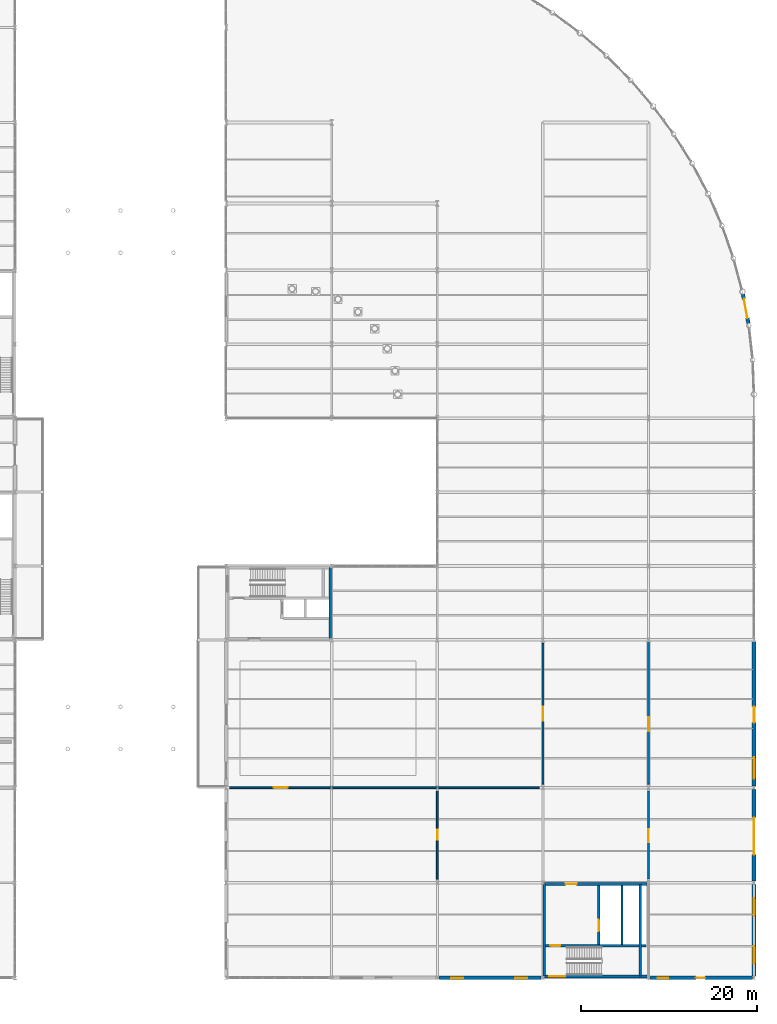
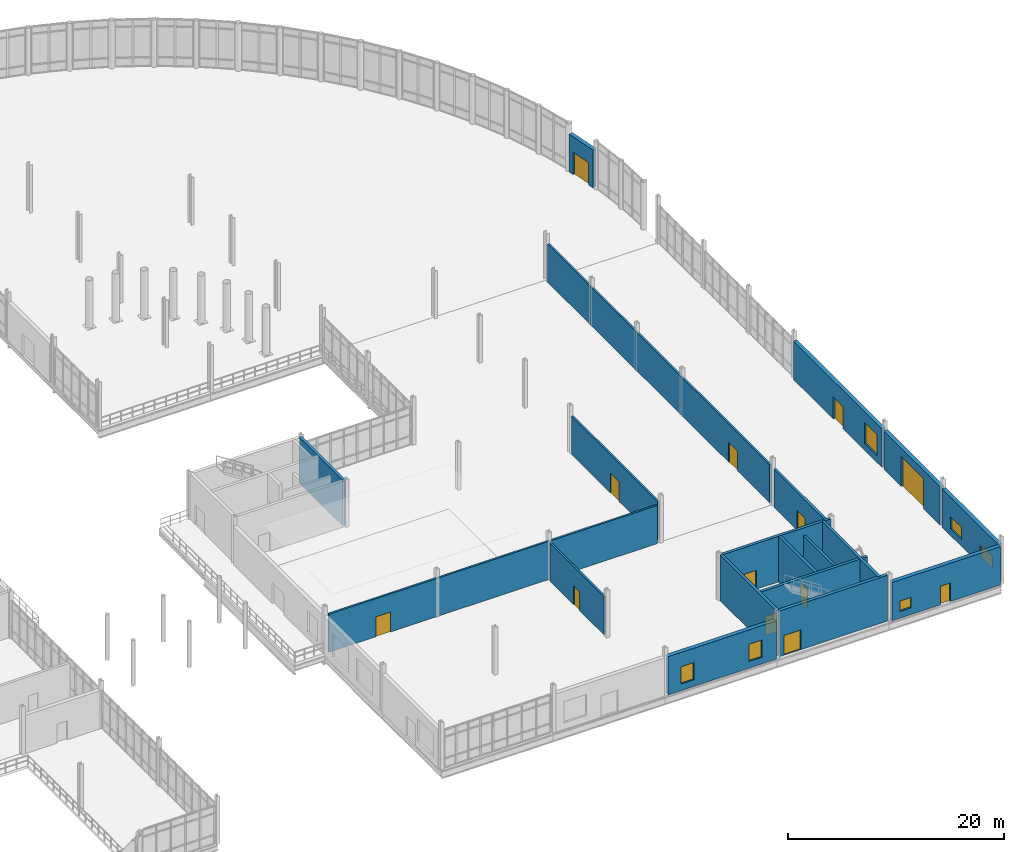
# One storey, part 101 of 111: 19 walls, 13 doors, 6 windows, 19 openings.
"""IFC4 building model written with IfcOpenShell, lengths in metres."""

from ifc_helpers import new_model, si_unit, direction, frame, frame_2d, origin, place, context, subcontext, project, spatial, rectangle, extrude, material, layer, layer_set, type_object, element, fill, save


model = new_model("IFC4")

# Units and contexts
model_context = context("Model", 3, precision=1e-05, world=origin(), true_north=direction((0.0, 1.0)))
body_context = subcontext(model_context, "Body", "Model", "MODEL_VIEW")
ifc_project = project(units=[si_unit("LENGTHUNIT", "METRE"), si_unit("AREAUNIT", "SQUARE_METRE"), si_unit("VOLUMEUNIT", "CUBIC_METRE"), si_unit("PLANEANGLEUNIT", "RADIAN"), si_unit("MASSUNIT", "GRAM", prefix="KILO"), si_unit("THERMODYNAMICTEMPERATUREUNIT", "KELVIN"), si_unit("POWERUNIT", "WATT")], contexts=[model_context])

# Site, building, storey
site_placement = place(None, origin())
site = spatial("IfcSite", under=ifc_project, at=site_placement, CompositionType="ELEMENT")
building_placement = place(site_placement, origin())
building = spatial("IfcBuilding", under=site, at=building_placement, Name="Tembeka Court Mobility Hub", CompositionType="ELEMENT")
storey_placement = place(building_placement, origin())
storey = spatial("IfcBuildingStorey", under=building, at=storey_placement, Name="L00", CompositionType="ELEMENT", Elevation=0.0)

# Wall, opening, door
ifc_material_1 = material(Name="Insulated Nairobi volcanic-tuff masonry", Category="masonry")
ifc_layer_1 = layer(ifc_material_1, 0.419921875)
ifc_layer_set_1 = layer_set([ifc_layer_1], Name="Insulated Nairobi volcanic-tuff masonry")
wall_type_1 = type_object("IfcWallType", Name="WL-EW01", PredefinedType="STANDARD", material=ifc_layer_set_1)
wall_1_placement = place(storey_placement, frame((175.766845703125, 74.372314453125, 0.0), z_axis=(0.0, 0.0, 1.0), x_axis=(-0.185980484265, 0.982553438482, 0.0)))
wall_1 = element("IfcWall", 1, at=wall_1_placement, inside=storey, type_object=wall_type_1, Name="External wall EW01 (EW-L00-0069)", PredefinedType="STANDARD", context=body_context, shape_type="SweptSolid", body=[
    extrude(rectangle(XDim=3.37109375, YDim=0.419921875, at=frame_2d((1.685546875, 0.0))), origin(), (0.0, 0.0, 1.0), 4.300048828125),
])
opening_1_placement = place(wall_1_placement, frame((0.62109375, 0.0, 0.0)))
opening_1 = element("IfcOpeningElement", 2, at=opening_1_placement, cuts=wall_1, Name="Opening E10", PredefinedType="OPENING", context=body_context, shape_type="SweptSolid", body=[
    extrude(rectangle(XDim=2.199951171875, YDim=2.550048828125, at=frame_2d((1.10009765625, 1.27490234375))), frame((0.0, 0.219970703125, 0.0), z_axis=(0.0, -1.0, 0.0), x_axis=(1.0, 0.0, 0.0)), (0.0, 0.0, 1.0), 0.43994140625),
])
ifc_material_2 = material(Name="Powder-coated aluminium glazed doorset", Category="aluminium")
door_type_1 = type_object("IfcDoorType", Name="DR-E10", OperationType="NOTDEFINED", PredefinedType="DOOR", material=ifc_material_2)
door_1_placement = place(opening_1_placement, frame((2.199951171875, 0.0, 0.0), z_axis=(0.0, 0.0, 1.0), x_axis=(-1.0, 0.0, 0.0)))
door_1 = element("IfcDoor", 3, at=door_1_placement, inside=storey, type_object=door_type_1, Name="Main entrance E10 bus concourse South", OperationType="DOUBLE_DOOR_SINGLE_SWING", OverallHeight=2.550048828125, OverallWidth=2.199951171875, PredefinedType="DOOR", context=body_context, shape_type="SweptSolid", body=[
    extrude(rectangle(XDim=2.199951171875, YDim=2.550048828125, at=frame_2d((1.10009765625, 1.27490234375))), frame((0.0, 0.02490234375, 0.0), z_axis=(0.0, -1.0, 0.0), x_axis=(1.0, 0.0, 0.0)), (0.0, 0.0, 1.0), 0.050048828125),
])
fill(opening_1, door_1)

# Wall, openings, windows
wall_2_placement = place(storey_placement, frame((140.595458984375, 0.0, 0.0), z_axis=(0.0, 0.0, 1.0), x_axis=(1.0, 0.0, 0.0)))
wall_2 = element("IfcWall", 4, at=wall_2_placement, inside=storey, type_object=wall_type_1, Name="External wall EW01 (EW-L00-0076)", PredefinedType="STANDARD", context=body_context, shape_type="SweptSolid", body=[
    extrude(rectangle(XDim=11.609130859375, YDim=0.419921875, at=frame_2d((5.8046875, 0.0))), origin(), (0.0, 0.0, 1.0), 4.3349609375),
])
opening_2_placement = place(wall_2_placement, frame((1.39990234375, 0.0, 0.75)))
opening_2 = element("IfcOpeningElement", 5, at=opening_2_placement, cuts=wall_2, Name="Opening WN21", PredefinedType="OPENING", context=body_context, shape_type="SweptSolid", body=[
    extrude(rectangle(XDim=1.35009765625, YDim=1.949951171875, at=frame_2d((0.675048828125, 0.97509765625))), frame((0.0, 0.219970703125, 0.0), z_axis=(0.0, -1.0, 0.0), x_axis=(1.0, 0.0, 0.0)), (0.0, 0.0, 1.0), 0.43994140625),
])
opening_3_placement = place(wall_2_placement, frame((8.68994140625, 0.0, 0.75)))
opening_3 = element("IfcOpeningElement", 6, at=opening_3_placement, cuts=wall_2, Name="Opening WN21", PredefinedType="OPENING", context=body_context, shape_type="SweptSolid", body=[
    extrude(rectangle(XDim=1.35009765625, YDim=1.949951171875, at=frame_2d((0.675048828125, 0.97509765625))), frame((0.0, 0.219970703125, 0.0), z_axis=(0.0, -1.0, 0.0), x_axis=(1.0, 0.0, 0.0)), (0.0, 0.0, 1.0), 0.43994140625),
])
ifc_material_3 = material(Name="Laminated solar-control low-E glass", Category="glass")
window_type_1 = type_object("IfcWindowType", Name="WN-W21", PartitioningType="SINGLE_PANEL", PredefinedType="WINDOW", material=ifc_material_3)
window_1_placement = place(opening_2_placement, origin())
window_1 = element("IfcWindow", 7, at=window_1_placement, inside=storey, type_object=window_type_1, Name="Window WN21-0016", OverallHeight=1.949951171875, OverallWidth=1.35009765625, PartitioningType="SINGLE_PANEL", PredefinedType="WINDOW", context=body_context, shape_type="SweptSolid", body=[
    extrude(rectangle(XDim=1.35009765625, YDim=1.949951171875, at=frame_2d((0.675048828125, 0.97509765625))), frame((0.0, 0.030029296875, 0.0), z_axis=(0.0, -1.0, 0.0), x_axis=(1.0, 0.0, 0.0)), (0.0, 0.0, 1.0), 0.06005859375),
])
fill(opening_2, window_1)
window_2_placement = place(opening_3_placement, origin())
window_2 = element("IfcWindow", 8, at=window_2_placement, inside=storey, type_object=window_type_1, Name="Window WN21-0017", OverallHeight=1.949951171875, OverallWidth=1.35009765625, PartitioningType="SINGLE_PANEL", PredefinedType="WINDOW", context=body_context, shape_type="SweptSolid", body=[
    extrude(rectangle(XDim=1.35009765625, YDim=1.949951171875, at=frame_2d((0.675048828125, 0.97509765625))), frame((0.0, 0.030029296875, 0.0), z_axis=(0.0, -1.0, 0.0), x_axis=(1.0, 0.0, 0.0)), (0.0, 0.0, 1.0), 0.06005859375),
])
fill(opening_3, window_2)

# Wall, openings, door, window
wall_3_placement = place(storey_placement, frame((164.595458984375, 0.0, 0.0), z_axis=(0.0, 0.0, 1.0), x_axis=(1.0, 0.0, 0.0)))
wall_3 = element("IfcWall", 9, at=wall_3_placement, inside=storey, type_object=wall_type_1, Name="External wall EW01 (EW-L00-0077)", PredefinedType="STANDARD", context=body_context, shape_type="SweptSolid", body=[
    extrude(rectangle(XDim=11.609130859375, YDim=0.419921875, at=frame_2d((5.8046875, 0.0))), origin(), (0.0, 0.0, 1.0), 4.3349609375),
])
opening_4_placement = place(wall_3_placement, frame((5.195068359375, 0.0, 0.0)))
opening_4 = element("IfcOpeningElement", 10, at=opening_4_placement, cuts=wall_3, Name="Opening ED06", PredefinedType="OPENING", context=body_context, shape_type="SweptSolid", body=[
    extrude(rectangle(XDim=1.050048828125, YDim=2.10009765625, at=frame_2d((0.52490234375, 1.050048828125))), frame((0.0, 0.219970703125, 0.0), z_axis=(0.0, -1.0, 0.0), x_axis=(1.0, 0.0, 0.0)), (0.0, 0.0, 1.0), 0.43994140625),
])
opening_5_placement = place(wall_3_placement, frame((0.85009765625, 0.0, 0.75)))
opening_5 = element("IfcOpeningElement", 11, at=opening_5_placement, cuts=wall_3, Name="Opening WN20", PredefinedType="OPENING", context=body_context, shape_type="SweptSolid", body=[
    extrude(rectangle(XDim=1.199951171875, YDim=1.199951171875, at=frame_2d((0.60009765625, 0.60009765625))), frame((0.0, 0.219970703125, 0.0), z_axis=(0.0, -1.0, 0.0), x_axis=(1.0, 0.0, 0.0)), (0.0, 0.0, 1.0), 0.43994140625),
])
door_type_2 = type_object("IfcDoorType", Name="DR-ED06", OperationType="NOTDEFINED", PredefinedType="DOOR", material=ifc_material_2)
door_2_placement = place(opening_4_placement, frame((1.050048828125, 0.0, 0.0), z_axis=(0.0, 0.0, 1.0), x_axis=(-1.0, 0.0, 0.0)))
door_2 = element("IfcDoor", 12, at=door_2_placement, inside=storey, type_object=door_type_2, Name="Refuse store exterior service door ED06", OperationType="SINGLE_SWING_LEFT", OverallHeight=2.10009765625, OverallWidth=1.050048828125, PredefinedType="DOOR", context=body_context, shape_type="SweptSolid", body=[
    extrude(rectangle(XDim=1.050048828125, YDim=2.10009765625, at=frame_2d((0.52490234375, 1.050048828125))), frame((0.0, 0.02490234375, 0.0), z_axis=(0.0, -1.0, 0.0), x_axis=(1.0, 0.0, 0.0)), (0.0, 0.0, 1.0), 0.050048828125),
])
fill(opening_4, door_2)
window_type_2 = type_object("IfcWindowType", Name="WN-W20", PartitioningType="SINGLE_PANEL", PredefinedType="WINDOW", material=ifc_material_3)
window_3_placement = place(opening_5_placement, origin())
window_3 = element("IfcWindow", 13, at=window_3_placement, inside=storey, type_object=window_type_2, Name="Window WN20-0018", OverallHeight=1.199951171875, OverallWidth=1.199951171875, PartitioningType="SINGLE_PANEL", PredefinedType="WINDOW", context=body_context, shape_type="SweptSolid", body=[
    extrude(rectangle(XDim=1.199951171875, YDim=1.199951171875, at=frame_2d((0.60009765625, 0.60009765625))), frame((0.0, 0.030029296875, 0.0), z_axis=(0.0, -1.0, 0.0), x_axis=(1.0, 0.0, 0.0)), (0.0, 0.0, 1.0), 0.06005859375),
])
fill(opening_5, window_3)

# Wall, openings, windows
wall_4_placement = place(storey_placement, frame((176.39990234375, 0.1884765625, 0.0), z_axis=(0.0, 0.0, 1.0), x_axis=(0.0, 1.0, 0.0)))
wall_4 = element("IfcWall", 14, at=wall_4_placement, inside=storey, type_object=wall_type_1, Name="External wall EW01 (EW-L00-0078)", PredefinedType="STANDARD", context=body_context, shape_type="SweptSolid", body=[
    extrude(rectangle(XDim=10.423095703125, YDim=0.419921875, at=frame_2d((5.21142578125, 0.0))), origin(), (0.0, 0.0, 1.0), 4.3349609375),
])
opening_6_placement = place(wall_4_placement, frame((1.39990234375, 0.0, 0.75)))
opening_6 = element("IfcOpeningElement", 15, at=opening_6_placement, cuts=wall_4, Name="Opening WN16", PredefinedType="OPENING", context=body_context, shape_type="SweptSolid", body=[
    extrude(rectangle(XDim=2.0, YDim=1.39990234375, at=frame_2d((1.0, 0.699951171875))), frame((0.0, 0.219970703125, 0.0), z_axis=(0.0, -1.0, 0.0), x_axis=(1.0, 0.0, 0.0)), (0.0, 0.0, 1.0), 0.43994140625),
])
opening_7_placement = place(wall_4_placement, frame((6.840087890625, 0.0, 0.75)))
opening_7 = element("IfcOpeningElement", 16, at=opening_7_placement, cuts=wall_4, Name="Opening WN16", PredefinedType="OPENING", context=body_context, shape_type="SweptSolid", body=[
    extrude(rectangle(XDim=2.0, YDim=1.39990234375, at=frame_2d((1.0, 0.699951171875))), frame((0.0, 0.219970703125, 0.0), z_axis=(0.0, -1.0, 0.0), x_axis=(1.0, 0.0, 0.0)), (0.0, 0.0, 1.0), 0.43994140625),
])
window_type_3 = type_object("IfcWindowType", Name="WN-W16", PartitioningType="SINGLE_PANEL", PredefinedType="WINDOW", material=ifc_material_3)
window_4_placement = place(opening_6_placement, origin())
window_4 = element("IfcWindow", 17, at=window_4_placement, inside=storey, type_object=window_type_3, Name="Window WN16-0019", OverallHeight=1.39990234375, OverallWidth=2.0, PartitioningType="SINGLE_PANEL", PredefinedType="WINDOW", context=body_context, shape_type="SweptSolid", body=[
    extrude(rectangle(XDim=2.0, YDim=1.39990234375, at=frame_2d((1.0, 0.699951171875))), frame((0.0, 0.030029296875, 0.0), z_axis=(0.0, -1.0, 0.0), x_axis=(1.0, 0.0, 0.0)), (0.0, 0.0, 1.0), 0.06005859375),
])
fill(opening_6, window_4)
window_5_placement = place(opening_7_placement, origin())
window_5 = element("IfcWindow", 18, at=window_5_placement, inside=storey, type_object=window_type_3, Name="Window WN16-0020", OverallHeight=1.39990234375, OverallWidth=2.0, PartitioningType="SINGLE_PANEL", PredefinedType="WINDOW", context=body_context, shape_type="SweptSolid", body=[
    extrude(rectangle(XDim=2.0, YDim=1.39990234375, at=frame_2d((1.0, 0.699951171875))), frame((0.0, 0.030029296875, 0.0), z_axis=(0.0, -1.0, 0.0), x_axis=(1.0, 0.0, 0.0)), (0.0, 0.0, 1.0), 0.06005859375),
])
fill(opening_7, window_5)

# Wall, opening, door
wall_5_placement = place(storey_placement, frame((176.39990234375, 10.988525390625, 0.0), z_axis=(0.0, 0.0, 1.0), x_axis=(0.0, 1.0, 0.0)))
wall_5 = element("IfcWall", 19, at=wall_5_placement, inside=storey, type_object=wall_type_1, Name="External wall EW01 (EW-L00-0079)", PredefinedType="STANDARD", context=body_context, shape_type="SweptSolid", body=[
    extrude(rectangle(XDim=10.423095703125, YDim=0.419921875, at=frame_2d((5.21142578125, 0.0))), origin(), (0.0, 0.0, 1.0), 4.3349609375),
])
opening_8_placement = place(wall_5_placement, frame((3.02001953125, 0.0, 0.0)))
opening_8 = element("IfcOpeningElement", 20, at=opening_8_placement, cuts=wall_5, Name="Opening LDG01", PredefinedType="OPENING", context=body_context, shape_type="SweptSolid", body=[
    extrude(rectangle(XDim=4.199951171875, YDim=3.39990234375, at=frame_2d((2.10009765625, 1.699951171875))), frame((0.0, 0.219970703125, 0.0), z_axis=(0.0, -1.0, 0.0), x_axis=(1.0, 0.0, 0.0)), (0.0, 0.0, 1.0), 0.43994140625),
])
ifc_material_4 = material(Name="Galvanised steel fire/shutter doorset", Category="steel")
door_type_3 = type_object("IfcDoorType", Name="DR-LDG01", OperationType="ROLLINGUP", PredefinedType="DOOR", material=ifc_material_4)
door_3_placement = place(opening_8_placement, frame((4.199951171875, 0.0, 0.0), z_axis=(0.0, 0.0, 1.0), x_axis=(-1.0, 0.0, 0.0)))
door_3 = element("IfcDoor", 21, at=door_3_placement, inside=storey, type_object=door_type_3, Name="Workshop loading dock roller shutter LDG01", OperationType="ROLLINGUP", OverallHeight=3.39990234375, OverallWidth=4.199951171875, PredefinedType="DOOR", context=body_context, shape_type="SweptSolid", body=[
    extrude(rectangle(XDim=4.199951171875, YDim=3.39990234375, at=frame_2d((2.10009765625, 1.699951171875))), frame((0.0, 0.02490234375, 0.0), z_axis=(0.0, -1.0, 0.0), x_axis=(1.0, 0.0, 0.0)), (0.0, 0.0, 1.0), 0.050048828125),
])
fill(opening_8, door_3)

# Wall, openings, door, window
wall_6_placement = place(storey_placement, frame((176.39990234375, 21.78857421875, 0.0), z_axis=(0.0, 0.0, 1.0), x_axis=(0.0, 1.0, 0.0)))
wall_6 = element("IfcWall", 22, at=wall_6_placement, inside=storey, type_object=wall_type_1, Name="External wall EW01 (EW-L00-0080)", PredefinedType="STANDARD", context=body_context, shape_type="SweptSolid", body=[
    extrude(rectangle(XDim=16.429443359375, YDim=0.419921875, at=frame_2d((8.21484375, 0.0))), origin(), (0.0, 0.0, 1.0), 4.3349609375),
])
opening_9_placement = place(wall_6_placement, frame((7.219970703125, 0.0, 0.0)))
opening_9 = element("IfcOpeningElement", 23, at=opening_9_placement, cuts=wall_6, Name="Opening E15", PredefinedType="OPENING", context=body_context, shape_type="SweptSolid", body=[
    extrude(rectangle(XDim=1.800048828125, YDim=2.5, at=frame_2d((0.89990234375, 1.25))), frame((0.0, 0.219970703125, 0.0), z_axis=(0.0, -1.0, 0.0), x_axis=(1.0, 0.0, 0.0)), (0.0, 0.0, 1.0), 0.43994140625),
])
opening_10_placement = place(wall_6_placement, frame((0.85009765625, 0.0, 0.75)))
opening_10 = element("IfcOpeningElement", 24, at=opening_10_placement, cuts=wall_6, Name="Opening WN02", PredefinedType="OPENING", context=body_context, shape_type="SweptSolid", body=[
    extrude(rectangle(XDim=2.39990234375, YDim=2.39990234375, at=frame_2d((1.199951171875, 1.199951171875))), frame((0.0, 0.219970703125, 0.0), z_axis=(0.0, -1.0, 0.0), x_axis=(1.0, 0.0, 0.0)), (0.0, 0.0, 1.0), 0.43994140625),
])
door_type_4 = type_object("IfcDoorType", Name="DR-E15", OperationType="NOTDEFINED", PredefinedType="DOOR", material=ifc_material_2)
door_4_placement = place(opening_9_placement, frame((1.800048828125, 0.0, 0.0), z_axis=(0.0, 0.0, 1.0), x_axis=(-1.0, 0.0, 0.0)))
door_4 = element("IfcDoor", 25, at=door_4_placement, inside=storey, type_object=door_type_4, Name="Final exit E15 mobility service centre East", OperationType="DOUBLE_DOOR_SINGLE_SWING", OverallHeight=2.5, OverallWidth=1.800048828125, PredefinedType="DOOR", context=body_context, shape_type="SweptSolid", body=[
    extrude(rectangle(XDim=1.800048828125, YDim=2.5, at=frame_2d((0.89990234375, 1.25))), frame((0.0, 0.02490234375, 0.0), z_axis=(0.0, -1.0, 0.0), x_axis=(1.0, 0.0, 0.0)), (0.0, 0.0, 1.0), 0.050048828125),
])
fill(opening_9, door_4)
window_type_4 = type_object("IfcWindowType", Name="WN-W02", PartitioningType="SINGLE_PANEL", PredefinedType="WINDOW", material=ifc_material_3)
window_6_placement = place(opening_10_placement, origin())
window_6 = element("IfcWindow", 26, at=window_6_placement, inside=storey, type_object=window_type_4, Name="Window WN02-0021", OverallHeight=2.39990234375, OverallWidth=2.39990234375, PartitioningType="SINGLE_PANEL", PredefinedType="WINDOW", context=body_context, shape_type="SweptSolid", body=[
    extrude(rectangle(XDim=2.39990234375, YDim=2.39990234375, at=frame_2d((1.199951171875, 1.199951171875))), frame((0.0, 0.030029296875, 0.0), z_axis=(0.0, -1.0, 0.0), x_axis=(1.0, 0.0, 0.0)), (0.0, 0.0, 1.0), 0.06005859375),
])
fill(opening_10, window_6)

# Wall
ifc_material_5 = material(Name="Concrete C40/50", Category="concrete")
ifc_layer_2 = layer(ifc_material_5, 0.25)
ifc_layer_set_2 = layer_set([ifc_layer_2], Name="Concrete C40/50")
wall_type_2 = type_object("IfcWallType", Name="WL-IW01", PredefinedType="PARTITIONING", material=ifc_layer_set_2)
wall_7_placement = place(storey_placement, frame((161.39990234375, 3.800048828125, 0.0), z_axis=(0.0, 0.0, 1.0), x_axis=(0.0, 1.0, 0.0)))
element("IfcWall", 27, at=wall_7_placement, inside=storey, type_object=wall_type_2, Name="Wall IW01 (IW-L00-0307)", PredefinedType="PARTITIONING", context=body_context, shape_type="SweptSolid", body=[
    extrude(rectangle(XDim=6.699951171875, YDim=0.25, at=frame_2d((3.35009765625, 0.0))), origin(), (0.0, 0.0, 1.0), 4.324951171875),
])

# Wall, opening, door
wall_8_placement = place(storey_placement, frame((164.39990234375, 11.199951171875, 0.0), z_axis=(0.0, 0.0, 1.0), x_axis=(0.0, 1.0, 0.0)))
wall_8 = element("IfcWall", 28, at=wall_8_placement, inside=storey, type_object=wall_type_2, Name="Wall IW01 (IW-L00-0430)", PredefinedType="PARTITIONING", context=body_context, shape_type="SweptSolid", body=[
    extrude(rectangle(XDim=10.0, YDim=0.25, at=frame_2d((5.0, 0.0))), origin(), (0.0, 0.0, 1.0), 4.324951171875),
])
opening_11_placement = place(wall_8_placement, frame((4.199951171875, 0.0, 0.0)))
opening_11 = element("IfcOpeningElement", 29, at=opening_11_placement, cuts=wall_8, Name="Opening FD06", PredefinedType="OPENING", context=body_context, shape_type="SweptSolid", body=[
    extrude(rectangle(XDim=1.5, YDim=2.25, at=frame_2d((0.75, 1.125))), frame((0.0, 0.135009765625, 0.0), z_axis=(0.0, -1.0, 0.0), x_axis=(1.0, 0.0, 0.0)), (0.0, 0.0, 1.0), 0.27001953125),
])
door_type_5 = type_object("IfcDoorType", Name="DR-FD06", OperationType="NOTDEFINED", PredefinedType="DOOR", material=ifc_material_4)
door_5_placement = place(opening_11_placement, origin())
door_5 = element("IfcDoor", 30, at=door_5_placement, inside=storey, type_object=door_type_5, Name="Door FD06-0203", OperationType="DOUBLE_DOOR_SINGLE_SWING", OverallHeight=2.25, OverallWidth=1.5, PredefinedType="DOOR", context=body_context, shape_type="SweptSolid", body=[
    extrude(rectangle(XDim=1.5, YDim=2.25, at=frame_2d((0.75, 1.125))), frame((0.0, 0.02490234375, 0.0), z_axis=(0.0, -1.0, 0.0), x_axis=(1.0, 0.0, 0.0)), (0.0, 0.0, 1.0), 0.050048828125),
])
fill(opening_11, door_5)

ifc_material_6 = material(Name="Concrete blockwork masonry", Category="masonry")
ifc_layer_3 = layer(ifc_material_6, 0.199951171875)
ifc_layer_set_3 = layer_set([ifc_layer_3], Name="Concrete blockwork masonry")
wall_type_3 = type_object("IfcWallType", Name="WL-IW02", PredefinedType="PARTITIONING", material=ifc_layer_set_3)
wall_9_placement = place(storey_placement, frame((152.39990234375, 22.0, 0.0), z_axis=(0.0, 0.0, 1.0), x_axis=(0.0, 1.0, 0.0)))
wall_9 = element("IfcWall", 31, at=wall_9_placement, inside=storey, type_object=wall_type_3, Name="Wall IW02 (IW-L00-0427)", PredefinedType="PARTITIONING", context=body_context, shape_type="SweptSolid", body=[
    extrude(rectangle(XDim=16.0, YDim=0.199951171875, at=frame_2d((8.0, 0.0))), origin(), (0.0, 0.0, 1.0), 4.324951171875),
])
opening_12_placement = place(wall_9_placement, frame((7.199951171875, 0.0, 0.0)))
opening_12 = element("IfcOpeningElement", 32, at=opening_12_placement, cuts=wall_9, Name="Opening ID05", PredefinedType="OPENING", context=body_context, shape_type="SweptSolid", body=[
    extrude(rectangle(XDim=1.60009765625, YDim=2.25, at=frame_2d((0.800048828125, 1.125))), frame((0.0, 0.10986328125, 0.0), z_axis=(0.0, -1.0, 0.0), x_axis=(1.0, 0.0, 0.0)), (0.0, 0.0, 1.0), 0.219970703125),
])
door_type_6 = type_object("IfcDoorType", Name="DR-ID05", OperationType="NOTDEFINED", PredefinedType="DOOR", material=ifc_material_2)
door_6_placement = place(opening_12_placement, origin())
door_6 = element("IfcDoor", 33, at=door_6_placement, inside=storey, type_object=door_type_6, Name="Door ID05-0200", OperationType="DOUBLE_DOOR_SINGLE_SWING", OverallHeight=2.25, OverallWidth=1.60009765625, PredefinedType="DOOR", context=body_context, shape_type="SweptSolid", body=[
    extrude(rectangle(XDim=1.60009765625, YDim=2.25, at=frame_2d((0.800048828125, 1.125))), frame((0.0, 0.02490234375, 0.0), z_axis=(0.0, -1.0, 0.0), x_axis=(1.0, 0.0, 0.0)), (0.0, 0.0, 1.0), 0.050048828125),
])
fill(opening_12, door_6)

wall_10_placement = place(storey_placement, frame((116.800048828125, 21.60009765625, 0.0), z_axis=(0.0, 0.0, 1.0), x_axis=(1.0, 0.0, 0.0)))
wall_10 = element("IfcWall", 34, at=wall_10_placement, inside=storey, type_object=wall_type_3, Name="Wall IW02 (IW-L00-0428)", PredefinedType="PARTITIONING", context=body_context, shape_type="SweptSolid", body=[
    extrude(rectangle(XDim=35.199951171875, YDim=0.199951171875, at=frame_2d((17.60009765625, 0.0))), origin(), (0.0, 0.0, 1.0), 4.324951171875),
])
opening_13_placement = place(wall_10_placement, frame((5.0, 0.0, 0.0)))
opening_13 = element("IfcOpeningElement", 35, at=opening_13_placement, cuts=wall_10, Name="Opening ID05", PredefinedType="OPENING", context=body_context, shape_type="SweptSolid", body=[
    extrude(rectangle(XDim=1.60009765625, YDim=2.25, at=frame_2d((0.800048828125, 1.125))), frame((0.0, 0.10986328125, 0.0), z_axis=(0.0, -1.0, 0.0), x_axis=(1.0, 0.0, 0.0)), (0.0, 0.0, 1.0), 0.219970703125),
])
door_7_placement = place(opening_13_placement, origin())
door_7 = element("IfcDoor", 36, at=door_7_placement, inside=storey, type_object=door_type_6, Name="Door ID05-0201", OperationType="DOUBLE_DOOR_SINGLE_SWING", OverallHeight=2.25, OverallWidth=1.60009765625, PredefinedType="DOOR", context=body_context, shape_type="SweptSolid", body=[
    extrude(rectangle(XDim=1.60009765625, YDim=2.25, at=frame_2d((0.800048828125, 1.125))), frame((0.0, 0.02490234375, 0.0), z_axis=(0.0, -1.0, 0.0), x_axis=(1.0, 0.0, 0.0)), (0.0, 0.0, 1.0), 0.050048828125),
])
fill(opening_13, door_7)

wall_11_placement = place(storey_placement, frame((140.39990234375, 11.199951171875, 0.0), z_axis=(0.0, 0.0, 1.0), x_axis=(0.0, 1.0, 0.0)))
wall_11 = element("IfcWall", 37, at=wall_11_placement, inside=storey, type_object=wall_type_3, Name="Wall IW02 (IW-L00-0429)", PredefinedType="PARTITIONING", context=body_context, shape_type="SweptSolid", body=[
    extrude(rectangle(XDim=10.0, YDim=0.199951171875, at=frame_2d((5.0, 0.0))), origin(), (0.0, 0.0, 1.0), 4.324951171875),
])
opening_14_placement = place(wall_11_placement, frame((4.5, 0.0, 0.0)))
opening_14 = element("IfcOpeningElement", 38, at=opening_14_placement, cuts=wall_11, Name="Opening ID07", PredefinedType="OPENING", context=body_context, shape_type="SweptSolid", body=[
    extrude(rectangle(XDim=1.1201171875, YDim=2.14990234375, at=frame_2d((0.56005859375, 1.074951171875))), frame((0.0, 0.10986328125, 0.0), z_axis=(0.0, -1.0, 0.0), x_axis=(1.0, 0.0, 0.0)), (0.0, 0.0, 1.0), 0.219970703125),
])
door_type_7 = type_object("IfcDoorType", Name="DR-ID07", OperationType="NOTDEFINED", PredefinedType="DOOR", material=ifc_material_2)
door_8_placement = place(opening_14_placement, origin())
door_8 = element("IfcDoor", 39, at=door_8_placement, inside=storey, type_object=door_type_7, Name="Door ID07-0202", OperationType="SINGLE_SWING_LEFT", OverallHeight=2.14990234375, OverallWidth=1.1201171875, PredefinedType="DOOR", context=body_context, shape_type="SweptSolid", body=[
    extrude(rectangle(XDim=1.1201171875, YDim=2.14990234375, at=frame_2d((0.56005859375, 1.074951171875))), frame((0.0, 0.02490234375, 0.0), z_axis=(0.0, -1.0, 0.0), x_axis=(1.0, 0.0, 0.0)), (0.0, 0.0, 1.0), 0.050048828125),
])
fill(opening_14, door_8)

wall_12_placement = place(storey_placement, frame((164.39990234375, 22.0, 0.0), z_axis=(0.0, 0.0, 1.0), x_axis=(0.0, 1.0, 0.0)))
wall_12 = element("IfcWall", 40, at=wall_12_placement, inside=storey, type_object=wall_type_3, Name="Wall IW02 (IW-L00-0431)", PredefinedType="PARTITIONING", context=body_context, shape_type="SweptSolid", body=[
    extrude(rectangle(XDim=41.199951171875, YDim=0.199951171875, at=frame_2d((20.60009765625, 0.0))), origin(), (0.0, 0.0, 1.0), 4.324951171875),
])
opening_15_placement = place(wall_12_placement, frame((6.0, 0.0, 0.0)))
opening_15 = element("IfcOpeningElement", 41, at=opening_15_placement, cuts=wall_12, Name="Opening ID05", PredefinedType="OPENING", context=body_context, shape_type="SweptSolid", body=[
    extrude(rectangle(XDim=1.60009765625, YDim=2.25, at=frame_2d((0.800048828125, 1.125))), frame((0.0, 0.10986328125, 0.0), z_axis=(0.0, -1.0, 0.0), x_axis=(1.0, 0.0, 0.0)), (0.0, 0.0, 1.0), 0.219970703125),
])
door_9_placement = place(opening_15_placement, origin())
door_9 = element("IfcDoor", 42, at=door_9_placement, inside=storey, type_object=door_type_6, Name="Door ID05-0204", OperationType="DOUBLE_DOOR_SINGLE_SWING", OverallHeight=2.25, OverallWidth=1.60009765625, PredefinedType="DOOR", context=body_context, shape_type="SweptSolid", body=[
    extrude(rectangle(XDim=1.60009765625, YDim=2.25, at=frame_2d((0.800048828125, 1.125))), frame((0.0, 0.02490234375, 0.0), z_axis=(0.0, -1.0, 0.0), x_axis=(1.0, 0.0, 0.0)), (0.0, 0.0, 1.0), 0.050048828125),
])
fill(opening_15, door_9)

# Wall
ifc_layer_4 = layer(ifc_material_5, 0.300048828125)
ifc_layer_set_4 = layer_set([ifc_layer_4], Name="Concrete C40/50")
wall_type_4 = type_object("IfcWallType", Name="WL-SW01", PredefinedType="SHEAR", material=ifc_layer_set_4)
wall_13_placement = place(storey_placement, frame((128.25, 38.58203125, 0.0), z_axis=(0.0, 0.0, 1.0), x_axis=(0.0, 1.0, 0.0)))
element("IfcWall", 43, at=wall_13_placement, inside=storey, type_object=wall_type_4, Name="Wall SW01 (IW-L00-0261)", PredefinedType="SHEAR", context=body_context, shape_type="SweptSolid", body=[
    extrude(rectangle(XDim=8.035888671875, YDim=0.300048828125, at=frame_2d((4.01806640625, 0.0))), origin(), (0.0, 0.0, 1.0), 5.179931640625),
])

# Wall, opening, door
wall_14_placement = place(storey_placement, frame((152.595458984375, 10.64990234375, 0.0), z_axis=(0.0, 0.0, 1.0), x_axis=(1.0, 0.0, 0.0)))
wall_14 = element("IfcWall", 44, at=wall_14_placement, inside=storey, type_object=wall_type_4, Name="Wall SW01 (IW-L00-0302)", PredefinedType="SHEAR", context=body_context, shape_type="SweptSolid", body=[
    extrude(rectangle(XDim=11.609130859375, YDim=0.300048828125, at=frame_2d((5.8046875, 0.0))), origin(), (0.0, 0.0, 1.0), 5.179931640625),
])
opening_16_placement = place(wall_14_placement, frame((2.384521484375, 0.0, 0.0)))
opening_16 = element("IfcOpeningElement", 45, at=opening_16_placement, cuts=wall_14, Name="Opening FD01", PredefinedType="OPENING", context=body_context, shape_type="SweptSolid", body=[
    extrude(rectangle(XDim=1.25, YDim=2.14990234375, at=frame_2d((0.625, 1.074951171875))), frame((0.0, 0.16015625, 0.0), z_axis=(0.0, -1.0, 0.0), x_axis=(1.0, 0.0, 0.0)), (0.0, 0.0, 1.0), 0.320068359375),
])
door_type_8 = type_object("IfcDoorType", Name="DR-FD01", OperationType="NOTDEFINED", PredefinedType="DOOR", material=ifc_material_4)
door_10_placement = place(opening_16_placement, origin())
door_10 = element("IfcDoor", 46, at=door_10_placement, inside=storey, type_object=door_type_8, Name="Door FD01-0134", OperationType="SINGLE_SWING_RIGHT", OverallHeight=2.14990234375, OverallWidth=1.25, PredefinedType="DOOR", context=body_context, shape_type="SweptSolid", body=[
    extrude(rectangle(XDim=1.25, YDim=2.14990234375, at=frame_2d((0.625, 1.074951171875))), frame((0.0, 0.02490234375, 0.0), z_axis=(0.0, -1.0, 0.0), x_axis=(1.0, 0.0, 0.0)), (0.0, 0.0, 1.0), 0.050048828125),
])
fill(opening_16, door_10)

# Walls
for number, where, z_axis, x_axis, name in (
    (47, (152.550048828125, 0.1884765625, 0.0), (0.0, 0.0, 1.0), (0.0, 1.0, 0.0), "Wall SW01 (IW-L00-0303)"),
    (48, (163.449951171875, 0.1884765625, 0.0), (0.0, 0.0, 1.0), (0.0, 1.0, 0.0), "Wall SW01 (IW-L00-0304)"),
):
    element("IfcWall", number, at=place(storey_placement, frame(where, z_axis=z_axis, x_axis=x_axis)), inside=storey, type_object=wall_type_4, Name=name, PredefinedType="SHEAR", context=body_context, shape_type="SweptSolid", body=[
        extrude(rectangle(XDim=10.423095703125, YDim=0.300048828125, at=frame_2d((5.21142578125, 0.0))), origin(), (0.0, 0.0, 1.0), 5.179931640625),
    ])

# Wall, opening, door
wall_15_placement = place(storey_placement, frame((152.699951171875, 3.64990234375, 0.0), z_axis=(0.0, 0.0, 1.0), x_axis=(1.0, 0.0, 0.0)))
wall_15 = element("IfcWall", 49, at=wall_15_placement, inside=storey, type_object=wall_type_4, Name="Wall SW01 (IW-L00-0305)", PredefinedType="SHEAR", context=body_context, shape_type="SweptSolid", body=[
    extrude(rectangle(XDim=11.400146484375, YDim=0.300048828125, at=frame_2d((5.7001953125, 0.0))), origin(), (0.0, 0.0, 1.0), 5.179931640625),
])
opening_17_placement = place(wall_15_placement, frame((0.550048828125, 0.0, 0.0)))
opening_17 = element("IfcOpeningElement", 50, at=opening_17_placement, cuts=wall_15, Name="Opening FD03", PredefinedType="OPENING", context=body_context, shape_type="SweptSolid", body=[
    extrude(rectangle(XDim=1.14990234375, YDim=2.14990234375, at=frame_2d((0.574951171875, 1.074951171875))), frame((0.0, 0.16015625, 0.0), z_axis=(0.0, -1.0, 0.0), x_axis=(1.0, 0.0, 0.0)), (0.0, 0.0, 1.0), 0.320068359375),
])
door_type_9 = type_object("IfcDoorType", Name="DR-FD03", OperationType="NOTDEFINED", PredefinedType="DOOR", material=ifc_material_4)
door_11_placement = place(opening_17_placement, origin())
door_11 = element("IfcDoor", 51, at=door_11_placement, inside=storey, type_object=door_type_9, Name="Door FD03-0135", OperationType="SINGLE_SWING_LEFT", OverallHeight=2.14990234375, OverallWidth=1.14990234375, PredefinedType="DOOR", context=body_context, shape_type="SweptSolid", body=[
    extrude(rectangle(XDim=1.14990234375, YDim=2.14990234375, at=frame_2d((0.574951171875, 1.074951171875))), frame((0.0, 0.02490234375, 0.0), z_axis=(0.0, -1.0, 0.0), x_axis=(1.0, 0.0, 0.0)), (0.0, 0.0, 1.0), 0.050048828125),
])
fill(opening_17, door_11)

wall_16_placement = place(storey_placement, frame((158.75, 3.800048828125, 0.0), z_axis=(0.0, 0.0, 1.0), x_axis=(0.0, 1.0, 0.0)))
wall_16 = element("IfcWall", 52, at=wall_16_placement, inside=storey, type_object=wall_type_4, Name="Wall SW01 (IW-L00-0306)", PredefinedType="SHEAR", context=body_context, shape_type="SweptSolid", body=[
    extrude(rectangle(XDim=6.699951171875, YDim=0.300048828125, at=frame_2d((3.35009765625, 0.0))), origin(), (0.0, 0.0, 1.0), 5.179931640625),
])
opening_18_placement = place(wall_16_placement, frame((1.5, 0.0, 0.0)))
opening_18 = element("IfcOpeningElement", 53, at=opening_18_placement, cuts=wall_16, Name="Opening LD02", PredefinedType="OPENING", context=body_context, shape_type="SweptSolid", body=[
    extrude(rectangle(XDim=1.300048828125, YDim=2.300048828125, at=frame_2d((0.64990234375, 1.14990234375))), frame((0.0, 0.16015625, 0.0), z_axis=(0.0, -1.0, 0.0), x_axis=(1.0, 0.0, 0.0)), (0.0, 0.0, 1.0), 0.320068359375),
])
door_type_10 = type_object("IfcDoorType", Name="DR-LD02", OperationType="SLIDING_TO_LEFT", PredefinedType="DOOR", material=ifc_material_4)
door_12_placement = place(opening_18_placement, origin())
door_12 = element("IfcDoor", 54, at=door_12_placement, inside=storey, type_object=door_type_10, Name="Lift LF08 landing door L00", OperationType="SLIDING_TO_LEFT", OverallHeight=2.300048828125, OverallWidth=1.300048828125, PredefinedType="DOOR", context=body_context, shape_type="SweptSolid", body=[
    extrude(rectangle(XDim=1.300048828125, YDim=2.300048828125, at=frame_2d((0.64990234375, 1.14990234375))), frame((0.0, 0.02490234375, 0.0), z_axis=(0.0, -1.0, 0.0), x_axis=(1.0, 0.0, 0.0)), (0.0, 0.0, 1.0), 0.050048828125),
])
fill(opening_18, door_12)

ifc_layer_5 = layer(ifc_material_5, 0.35009765625)
ifc_layer_set_5 = layer_set([ifc_layer_5], Name="Concrete C40/50")
wall_type_5 = type_object("IfcWallType", Name="WL-SW02", PredefinedType="SHEAR", material=ifc_layer_set_5)
wall_17_placement = place(storey_placement, frame((152.595458984375, 0.14990234375, 0.0), z_axis=(0.0, 0.0, 1.0), x_axis=(1.0, 0.0, 0.0)))
wall_17 = element("IfcWall", 55, at=wall_17_placement, inside=storey, type_object=wall_type_5, Name="Wall SW02 (IW-L00-0301)", PredefinedType="SHEAR", context=body_context, shape_type="SweptSolid", body=[
    extrude(rectangle(XDim=11.609130859375, YDim=0.35009765625, at=frame_2d((5.8046875, 0.0))), origin(), (0.0, 0.0, 1.0), 5.179931640625),
])
opening_19_placement = place(wall_17_placement, frame((0.534423828125, 0.0, 0.0)))
opening_19 = element("IfcOpeningElement", 56, at=opening_19_placement, cuts=wall_17, Name="Opening E06", PredefinedType="OPENING", context=body_context, shape_type="SweptSolid", body=[
    extrude(rectangle(XDim=1.800048828125, YDim=2.239990234375, at=frame_2d((0.89990234375, 1.1201171875))), frame((0.0, 0.18505859375, 0.0), z_axis=(0.0, -1.0, 0.0), x_axis=(1.0, 0.0, 0.0)), (0.0, 0.0, 1.0), 0.3701171875),
])
door_type_11 = type_object("IfcDoorType", Name="DR-E06", OperationType="NOTDEFINED", PredefinedType="DOOR", material=ifc_material_2)
door_13_placement = place(opening_19_placement, frame((1.800048828125, 0.0, 0.0), z_axis=(0.0, 0.0, 1.0), x_axis=(-1.0, 0.0, 0.0)))
door_13 = element("IfcDoor", 57, at=door_13_placement, inside=storey, type_object=door_type_11, Name="Final exit E06 from Stair ST06", OperationType="DOUBLE_DOOR_SINGLE_SWING", OverallHeight=2.239990234375, OverallWidth=1.800048828125, PredefinedType="DOOR", context=body_context, shape_type="SweptSolid", body=[
    extrude(rectangle(XDim=1.800048828125, YDim=2.239990234375, at=frame_2d((0.89990234375, 1.1201171875))), frame((0.0, 0.02490234375, 0.0), z_axis=(0.0, -1.0, 0.0), x_axis=(1.0, 0.0, 0.0)), (0.0, 0.0, 1.0), 0.050048828125),
])
fill(opening_19, door_13)

save(model, "model.ifc")
